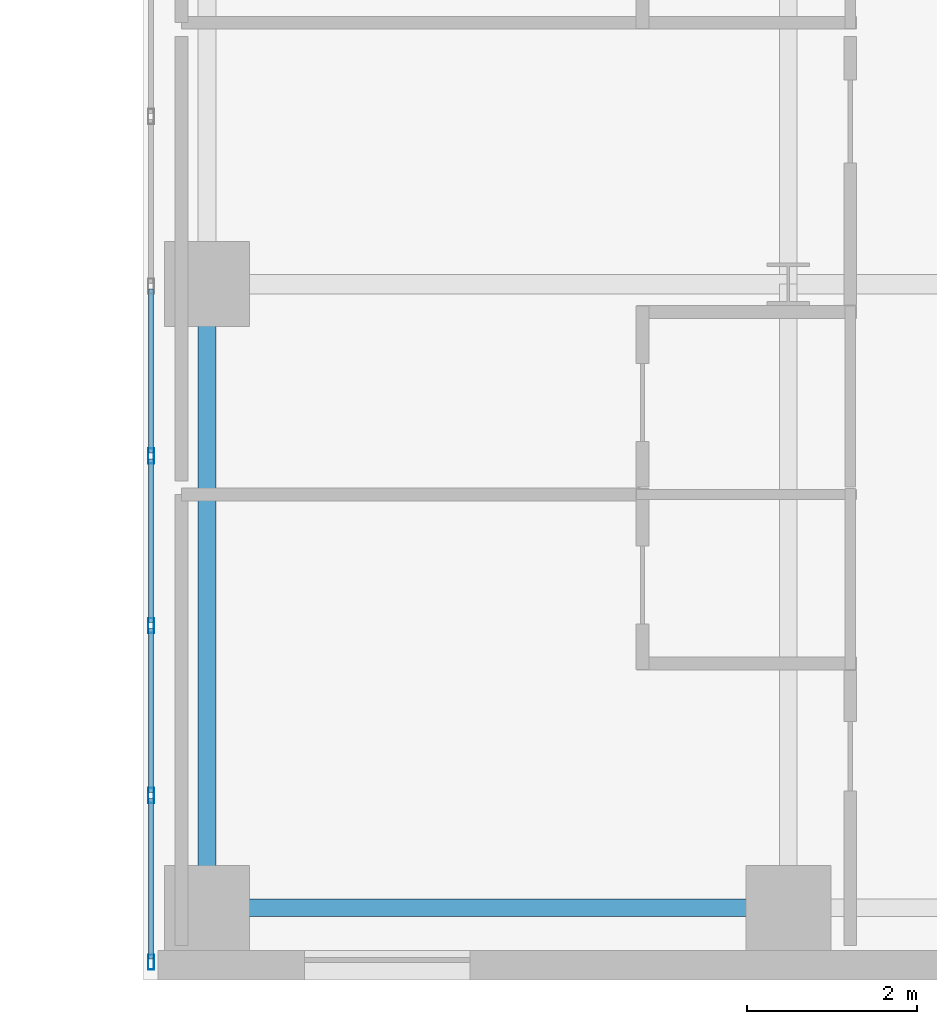
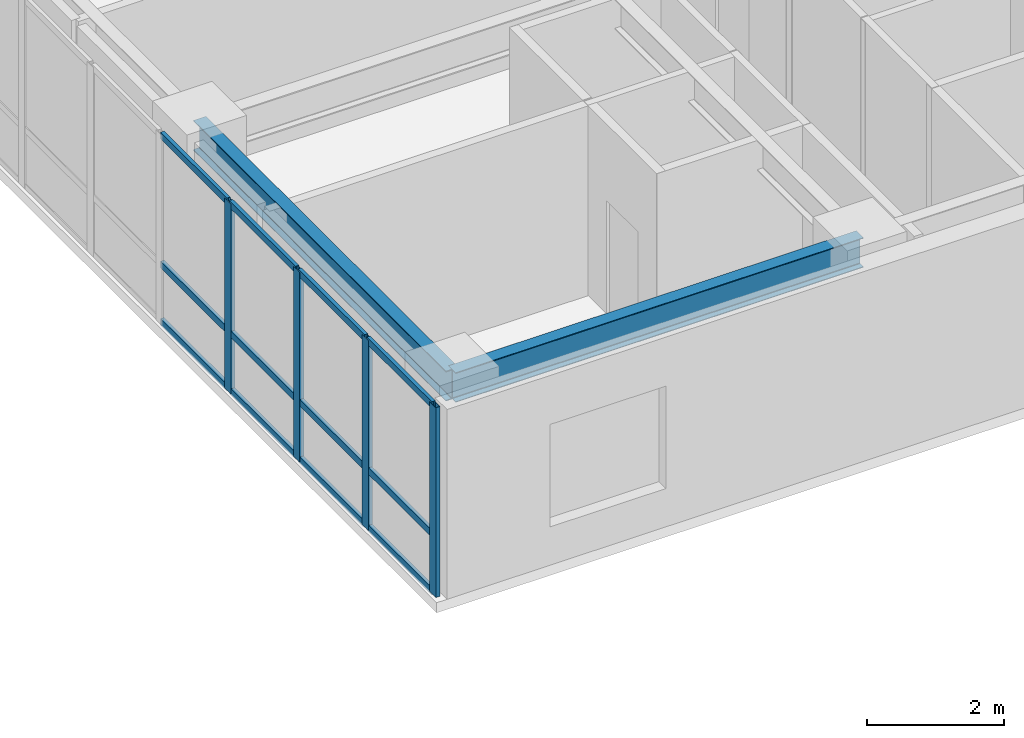
# One storey, part 13 of 30: 16 members, 2 beams, 1 element without a shape of its own.
"""IFC4 building model written with IfcOpenShell, lengths in metres."""

from ifc_helpers import new_model, si_unit, direction, frame, origin, origin_2d, place, context, subcontext, project, spatial, hollow_rectangle, i_section, extrude, source, transform, mapped, material, layer, layer_set, material_profile, profile_set, type_object, type_shapes, element, aggregate, save


model = new_model("IFC4")

# Units and contexts
model_context = context("Model", 3, precision=1e-05, world=origin(), true_north=direction((0.0, 1.0)))
body_context = subcontext(model_context, "Body", "Model", "MODEL_VIEW")
ifc_project = project(units=[si_unit("LENGTHUNIT", "METRE"), si_unit("AREAUNIT", "SQUARE_METRE"), si_unit("VOLUMEUNIT", "CUBIC_METRE"), si_unit("PLANEANGLEUNIT", "RADIAN"), si_unit("MASSUNIT", "GRAM", prefix="KILO")], contexts=[model_context])

# Site, building, storey
site_placement = place(None, origin())
site = spatial("IfcSite", under=ifc_project, at=site_placement, CompositionType="ELEMENT")
building_placement = place(site_placement, origin())
building = spatial("IfcBuilding", under=site, at=building_placement, Name="Tolvann Quenvar Hotel", CompositionType="ELEMENT")
storey_placement = place(building_placement, frame((0.0, 0.0, 56.85009765625)))
storey = spatial("IfcBuildingStorey", under=building, at=storey_placement, Name="L13", CompositionType="ELEMENT", Elevation=56.85009765625)

# Beams
ifc_material_1 = material(Name="Steel Grade 350", Category="steel")
ifc_material_profile_1 = material_profile(ifc_material_1, i_section(OverallWidth=0.208984375, OverallDepth=0.528076171875, WebThickness=0.009521484375, FlangeThickness=0.01318359375, FilletRadius=0.013916015625, at=origin_2d()), Name="530UB82")
ifc_profile_set_1 = profile_set([ifc_material_profile_1], Name="Steel Grade 350")
beam_type_1 = type_object("IfcBeamType", Name="BM_SPAND_530UB82", PredefinedType="SPANDREL", material=ifc_profile_set_1)
shared_shape_1 = source(origin(), body_context, "Body", "SweptSolid", [
    extrude(i_section(OverallWidth=0.208984375, OverallDepth=0.528076171875, WebThickness=0.009521484375, FlangeThickness=0.01318359375, FilletRadius=0.013916015625, at=origin_2d()), origin(), (0.0, 0.0, 1.0), 6.85009765625),
])
type_shapes(beam_type_1, [shared_shape_1])
beam_1_placement = place(storey_placement, frame((34.949951171875, 0.85009765625, 3.10595703125), z_axis=(1.0, 0.0, 0.0), x_axis=(0.0, 1.0, 0.0)))
element("IfcBeam", 1, at=beam_1_placement, inside=storey, type_object=beam_type_1, Name="BM-L13-EW-2-F2-H2", PredefinedType="SPANDREL", context=body_context, shape_type="MappedRepresentation", body=[
    mapped(shared_shape_1, transform((0.0, 0.0, 0.0), x_axis=(1.0, 0.0, 0.0), y_axis=(0.0, 1.0, 0.0), z_axis=(0.0, 0.0, 1.0), scale=1.0)),
])
ifc_material_profile_2 = material_profile(ifc_material_1, i_section(OverallWidth=0.208984375, OverallDepth=0.532958984375, WebThickness=0.01025390625, FlangeThickness=0.015625, FilletRadius=0.013916015625, at=origin_2d()), Name="530UB92")
ifc_profile_set_2 = profile_set([ifc_material_profile_2], Name="Steel Grade 350")
beam_type_2 = type_object("IfcBeamType", Name="BM_GIRD_530UB92", PredefinedType="BEAM", material=ifc_profile_set_2)
shared_shape_2 = source(origin(), body_context, "Body", "SweptSolid", [
    extrude(i_section(OverallWidth=0.208984375, OverallDepth=0.532958984375, WebThickness=0.01025390625, FlangeThickness=0.015625, FilletRadius=0.013916015625, at=origin_2d()), origin(), (0.0, 0.0, 1.0), 7.349853515625),
])
type_shapes(beam_type_2, [shared_shape_2])
beam_2_placement = place(storey_placement, frame((34.949951171875, 0.85009765625, 3.103515625), z_axis=(0.0, 1.0, 0.0), x_axis=(-1.0, 0.0, 0.0)))
element("IfcBeam", 2, at=beam_2_placement, inside=storey, type_object=beam_type_2, Name="BM-L13-NS-F2-F3", PredefinedType="BEAM", context=body_context, shape_type="MappedRepresentation", body=[
    mapped(shared_shape_2, transform((0.0, 0.0, 0.0), x_axis=(1.0, 0.0, 0.0), y_axis=(0.0, 1.0, 0.0), z_axis=(0.0, 0.0, 1.0), scale=1.0)),
])

# Curtain wall, members
ifc_material_2 = material(Name="Thermally broken anodised architectural aluminium 6063-T6 and laminated low-E glass", Category="aluminium")
ifc_layer = layer(ifc_material_2, 0.179931640625)
ifc_layer_set = layer_set([ifc_layer], Name="Thermally broken anodised architectural aluminium 6063-T6 and laminated low-E glass")
curtain_wall_type = type_object("IfcCurtainWallType", Name="CW_SYS_SLOT_03", PredefinedType="USERDEFINED", material=ifc_layer_set)
curtain_wall_placement = place(storey_placement, origin())
curtain_wall = element("IfcCurtainWall", 3, at=curtain_wall_placement, inside=storey, type_object=curtain_wall_type, Name="Curtain Wall CW-SLOT-03 (CWR-L13-E07)", ObjectType="UNITISED CURTAIN WALL", PredefinedType="USERDEFINED")
ifc_material_3 = material(Name="Anodised architectural aluminium 6063-T6 framing", Category="aluminium")
ifc_material_profile_3 = material_profile(ifc_material_3, hollow_rectangle(XDim=0.06005859375, YDim=0.1201171875, WallThickness=0.00341796875, at=origin_2d()), Name="120x60x3.5RHS")
ifc_profile_set_3 = profile_set([ifc_material_profile_3], Name="Anodised architectural aluminium 6063-T6 framing")
member_type_1 = type_object("IfcMemberType", Name="CW_TRAN_120x60", PredefinedType="USERDEFINED", material=ifc_profile_set_3)
shared_shape_3 = source(origin(), body_context, "Body", "SweptSolid", [
    extrude(hollow_rectangle(XDim=0.06005859375, YDim=0.1201171875, WallThickness=0.00341796875, at=origin_2d()), origin(), (0.0, 0.0, 1.0), 1.894775390625),
])
member_1_placement = place(storey_placement, frame((34.2900390625, 2.139892578125, 0.02978515625), z_axis=(0.0, -1.0, 0.0), x_axis=(1.0, 0.0, 0.0)))
member_1 = element("IfcMember", 4, at=member_1_placement, type_object=member_type_1, Name="CW-SLOT-03 transom 8.1", ObjectType="TRANSOM", PredefinedType="USERDEFINED", context=body_context, shape_type="MappedRepresentation", body=[
    mapped(shared_shape_3, transform((0.0, 0.0, 0.0), x_axis=(1.0, 0.0, 0.0), y_axis=(0.0, 1.0, 0.0), z_axis=(0.0, 0.0, 1.0), scale=1.0)),
])
member_2_placement = place(storey_placement, frame((34.2900390625, 2.139892578125, 1.0498046875), z_axis=(0.0, -1.0, 0.0), x_axis=(1.0, 0.0, 0.0)))
member_2 = element("IfcMember", 5, at=member_2_placement, type_object=member_type_1, Name="CW-SLOT-03 transom 8.2", ObjectType="TRANSOM", PredefinedType="USERDEFINED", context=body_context, shape_type="MappedRepresentation", body=[
    mapped(shared_shape_3, transform((0.0, 0.0, 0.0), x_axis=(1.0, 0.0, 0.0), y_axis=(0.0, 1.0, 0.0), z_axis=(0.0, 0.0, 1.0), scale=1.0)),
])
member_3_placement = place(storey_placement, frame((34.2900390625, 2.139892578125, 3.33984375), z_axis=(0.0, -1.0, 0.0), x_axis=(1.0, 0.0, 0.0)))
member_3 = element("IfcMember", 6, at=member_3_placement, type_object=member_type_1, Name="CW-SLOT-03 transom 8.3", ObjectType="TRANSOM", PredefinedType="USERDEFINED", context=body_context, shape_type="MappedRepresentation", body=[
    mapped(shared_shape_3, transform((0.0, 0.0, 0.0), x_axis=(1.0, 0.0, 0.0), y_axis=(0.0, 1.0, 0.0), z_axis=(0.0, 0.0, 1.0), scale=1.0)),
])
shared_shape_4 = source(origin(), body_context, "Body", "SweptSolid", [
    extrude(hollow_rectangle(XDim=0.06005859375, YDim=0.1201171875, WallThickness=0.00341796875, at=origin_2d()), origin(), (0.0, 0.0, 1.0), 1.929931640625),
])
type_shapes(member_type_1, [shared_shape_3, shared_shape_4])
member_4_placement = place(storey_placement, frame((34.2900390625, 8.139892578125, 0.02978515625), z_axis=(0.0, -1.0, 0.0), x_axis=(1.0, 0.0, 0.0)))
member_4 = element("IfcMember", 7, at=member_4_placement, type_object=member_type_1, Name="CW-SLOT-03 transom 5.1", ObjectType="TRANSOM", PredefinedType="USERDEFINED", context=body_context, shape_type="MappedRepresentation", body=[
    mapped(shared_shape_4, transform((0.0, 0.0, 0.0), x_axis=(1.0, 0.0, 0.0), y_axis=(0.0, 1.0, 0.0), z_axis=(0.0, 0.0, 1.0), scale=1.0)),
])
member_5_placement = place(storey_placement, frame((34.2900390625, 8.139892578125, 1.0498046875), z_axis=(0.0, -1.0, 0.0), x_axis=(1.0, 0.0, 0.0)))
member_5 = element("IfcMember", 8, at=member_5_placement, type_object=member_type_1, Name="CW-SLOT-03 transom 5.2", ObjectType="TRANSOM", PredefinedType="USERDEFINED", context=body_context, shape_type="MappedRepresentation", body=[
    mapped(shared_shape_4, transform((0.0, 0.0, 0.0), x_axis=(1.0, 0.0, 0.0), y_axis=(0.0, 1.0, 0.0), z_axis=(0.0, 0.0, 1.0), scale=1.0)),
])
member_6_placement = place(storey_placement, frame((34.2900390625, 8.139892578125, 3.33984375), z_axis=(0.0, -1.0, 0.0), x_axis=(1.0, 0.0, 0.0)))
member_6 = element("IfcMember", 9, at=member_6_placement, type_object=member_type_1, Name="CW-SLOT-03 transom 5.3", ObjectType="TRANSOM", PredefinedType="USERDEFINED", context=body_context, shape_type="MappedRepresentation", body=[
    mapped(shared_shape_4, transform((0.0, 0.0, 0.0), x_axis=(1.0, 0.0, 0.0), y_axis=(0.0, 1.0, 0.0), z_axis=(0.0, 0.0, 1.0), scale=1.0)),
])
member_7_placement = place(storey_placement, frame((34.2900390625, 6.139892578125, 0.02978515625), z_axis=(0.0, -1.0, 0.0), x_axis=(1.0, 0.0, 0.0)))
member_7 = element("IfcMember", 10, at=member_7_placement, type_object=member_type_1, Name="CW-SLOT-03 transom 6.1", ObjectType="TRANSOM", PredefinedType="USERDEFINED", context=body_context, shape_type="MappedRepresentation", body=[
    mapped(shared_shape_4, transform((0.0, 0.0, 0.0), x_axis=(1.0, 0.0, 0.0), y_axis=(0.0, 1.0, 0.0), z_axis=(0.0, 0.0, 1.0), scale=1.0)),
])
member_8_placement = place(storey_placement, frame((34.2900390625, 6.139892578125, 1.0498046875), z_axis=(0.0, -1.0, 0.0), x_axis=(1.0, 0.0, 0.0)))
member_8 = element("IfcMember", 11, at=member_8_placement, type_object=member_type_1, Name="CW-SLOT-03 transom 6.2", ObjectType="TRANSOM", PredefinedType="USERDEFINED", context=body_context, shape_type="MappedRepresentation", body=[
    mapped(shared_shape_4, transform((0.0, 0.0, 0.0), x_axis=(1.0, 0.0, 0.0), y_axis=(0.0, 1.0, 0.0), z_axis=(0.0, 0.0, 1.0), scale=1.0)),
])
member_9_placement = place(storey_placement, frame((34.2900390625, 6.139892578125, 3.33984375), z_axis=(0.0, -1.0, 0.0), x_axis=(1.0, 0.0, 0.0)))
member_9 = element("IfcMember", 12, at=member_9_placement, type_object=member_type_1, Name="CW-SLOT-03 transom 6.3", ObjectType="TRANSOM", PredefinedType="USERDEFINED", context=body_context, shape_type="MappedRepresentation", body=[
    mapped(shared_shape_4, transform((0.0, 0.0, 0.0), x_axis=(1.0, 0.0, 0.0), y_axis=(0.0, 1.0, 0.0), z_axis=(0.0, 0.0, 1.0), scale=1.0)),
])
member_10_placement = place(storey_placement, frame((34.2900390625, 4.139892578125, 0.02978515625), z_axis=(0.0, -1.0, 0.0), x_axis=(1.0, 0.0, 0.0)))
member_10 = element("IfcMember", 13, at=member_10_placement, type_object=member_type_1, Name="CW-SLOT-03 transom 7.1", ObjectType="TRANSOM", PredefinedType="USERDEFINED", context=body_context, shape_type="MappedRepresentation", body=[
    mapped(shared_shape_4, transform((0.0, 0.0, 0.0), x_axis=(1.0, 0.0, 0.0), y_axis=(0.0, 1.0, 0.0), z_axis=(0.0, 0.0, 1.0), scale=1.0)),
])
member_11_placement = place(storey_placement, frame((34.2900390625, 4.139892578125, 1.0498046875), z_axis=(0.0, -1.0, 0.0), x_axis=(1.0, 0.0, 0.0)))
member_11 = element("IfcMember", 14, at=member_11_placement, type_object=member_type_1, Name="CW-SLOT-03 transom 7.2", ObjectType="TRANSOM", PredefinedType="USERDEFINED", context=body_context, shape_type="MappedRepresentation", body=[
    mapped(shared_shape_4, transform((0.0, 0.0, 0.0), x_axis=(1.0, 0.0, 0.0), y_axis=(0.0, 1.0, 0.0), z_axis=(0.0, 0.0, 1.0), scale=1.0)),
])
member_12_placement = place(storey_placement, frame((34.2900390625, 4.139892578125, 3.33984375), z_axis=(0.0, -1.0, 0.0), x_axis=(1.0, 0.0, 0.0)))
member_12 = element("IfcMember", 15, at=member_12_placement, type_object=member_type_1, Name="CW-SLOT-03 transom 7.3", ObjectType="TRANSOM", PredefinedType="USERDEFINED", context=body_context, shape_type="MappedRepresentation", body=[
    mapped(shared_shape_4, transform((0.0, 0.0, 0.0), x_axis=(1.0, 0.0, 0.0), y_axis=(0.0, 1.0, 0.0), z_axis=(0.0, 0.0, 1.0), scale=1.0)),
])
ifc_material_profile_4 = material_profile(ifc_material_3, hollow_rectangle(XDim=0.070068359375, YDim=0.179931640625, WallThickness=0.00390625, at=origin_2d()), Name="180x70x4RHS")
ifc_profile_set_4 = profile_set([ifc_material_profile_4], Name="Anodised architectural aluminium 6063-T6 framing")
member_type_2 = type_object("IfcMemberType", Name="CW_MULL_180x70", PredefinedType="MULLION", material=ifc_profile_set_4)
shared_shape_5 = source(origin(), body_context, "Body", "SweptSolid", [
    extrude(hollow_rectangle(XDim=0.070068359375, YDim=0.179931640625, WallThickness=0.00390625, at=origin_2d()), origin(), (0.0, 0.0, 1.0), 3.369873046875),
])
type_shapes(member_type_2, [shared_shape_5])
member_13_placement = place(storey_placement, frame((34.2900390625, 6.175048828125, 0.0), z_axis=(0.0, 0.0, 1.0), x_axis=(1.0, 0.0, 0.0)))
member_13 = element("IfcMember", 16, at=member_13_placement, type_object=member_type_2, Name="CW-SLOT-03 mullion 6", PredefinedType="MULLION", context=body_context, shape_type="MappedRepresentation", body=[
    mapped(shared_shape_5, transform((0.0, 0.0, 0.0), x_axis=(1.0, 0.0, 0.0), y_axis=(0.0, 1.0, 0.0), z_axis=(0.0, 0.0, 1.0), scale=1.0)),
])
member_14_placement = place(storey_placement, frame((34.2900390625, 4.175048828125, 0.0), z_axis=(0.0, 0.0, 1.0), x_axis=(1.0, 0.0, 0.0)))
member_14 = element("IfcMember", 17, at=member_14_placement, type_object=member_type_2, Name="CW-SLOT-03 mullion 7", PredefinedType="MULLION", context=body_context, shape_type="MappedRepresentation", body=[
    mapped(shared_shape_5, transform((0.0, 0.0, 0.0), x_axis=(1.0, 0.0, 0.0), y_axis=(0.0, 1.0, 0.0), z_axis=(0.0, 0.0, 1.0), scale=1.0)),
])
member_15_placement = place(storey_placement, frame((34.2900390625, 2.175048828125, 0.0), z_axis=(0.0, 0.0, 1.0), x_axis=(1.0, 0.0, 0.0)))
member_15 = element("IfcMember", 18, at=member_15_placement, type_object=member_type_2, Name="CW-SLOT-03 mullion 8", PredefinedType="MULLION", context=body_context, shape_type="MappedRepresentation", body=[
    mapped(shared_shape_5, transform((0.0, 0.0, 0.0), x_axis=(1.0, 0.0, 0.0), y_axis=(0.0, 1.0, 0.0), z_axis=(0.0, 0.0, 1.0), scale=1.0)),
])
member_16_placement = place(storey_placement, frame((34.2900390625, 0.2099609375, 0.0), z_axis=(0.0, 0.0, 1.0), x_axis=(1.0, 0.0, 0.0)))
member_16 = element("IfcMember", 19, at=member_16_placement, type_object=member_type_2, Name="CW-SLOT-03 mullion 9", PredefinedType="MULLION", context=body_context, shape_type="MappedRepresentation", body=[
    mapped(shared_shape_5, transform((0.0, 0.0, 0.0), x_axis=(1.0, 0.0, 0.0), y_axis=(0.0, 1.0, 0.0), z_axis=(0.0, 0.0, 1.0), scale=1.0)),
])
aggregate(curtain_wall, [member_13, member_14, member_15, member_16, member_4, member_5, member_6, member_7, member_8, member_9, member_10, member_11, member_12, member_1, member_2, member_3])

save(model, "model.ifc")
